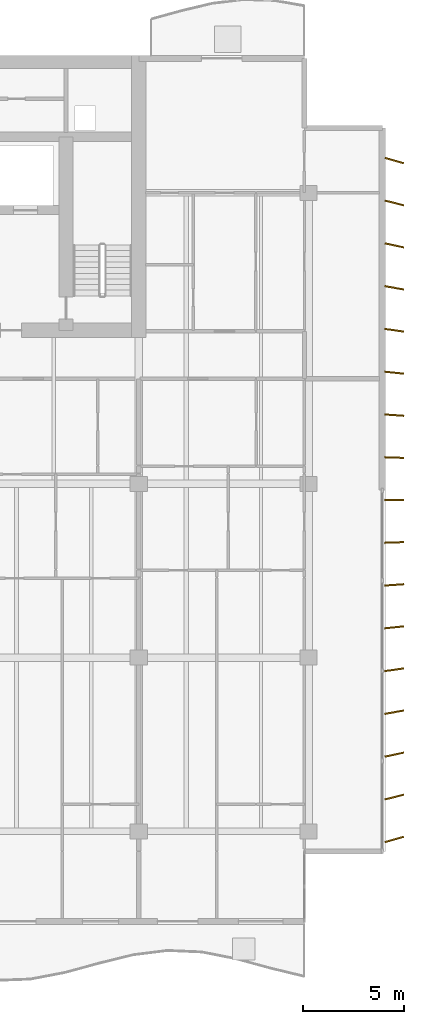
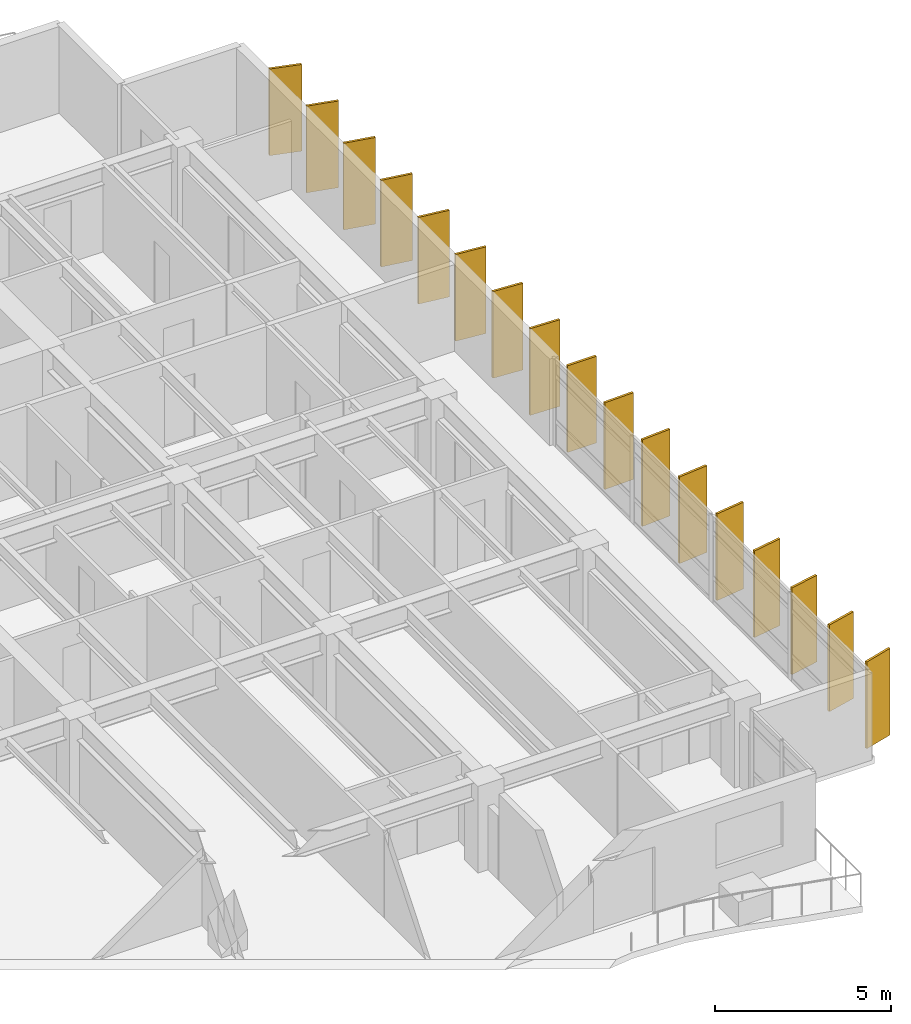
# One storey, part 18 of 18: 17 shading devices.
"""IFC4 building model written with IfcOpenShell, lengths in metres."""

import ifcopenshell
import ifcopenshell.guid

model = None  # the IFC model being written
_history = None  # IfcOwnerHistory: only IFC2X3 demands one
_inside = {}  # id of a spatial element -> (the spatial element, [elements in it])
_under = {}  # id of a project, library or spatial element -> (it, [spatial elements below it])
_declared = {}  # id of a project -> (the project, [libraries it declares])
_typed = {}  # id of a type object -> (the type object, [elements of that type])
_made_of = {}  # id of a material, layer set ... -> (it, [elements and type objects made of it])


def new_model(schema):
    """Start an empty IFC model of exactly this schema.

    Asked for "IFC4X3", IfcOpenShell would pick the latest addendum, in which some entities
    have other attributes; the version numbers below select the first issue.
    IFC2X3 requires an IfcOwnerHistory on every rooted entity: one is made here for all.
    """
    global model, _history
    if schema == "IFC4X3":
        model = ifcopenshell.file(schema_version=(4, 3, 0, 0))
    else:
        model = ifcopenshell.file(schema=schema)
    _inside.clear()
    _under.clear()
    _declared.clear()
    _typed.clear()
    _made_of.clear()
    _history = None
    if model.schema == "IFC2X3":
        org = make("IfcOrganization", Name="unknown")
        user = make(
            "IfcPersonAndOrganization",
            ThePerson=make("IfcPerson", FamilyName="unknown"),
            TheOrganization=org,
        )
        app = make(
            "IfcApplication",
            ApplicationDeveloper=org,
            Version="unknown",
            ApplicationFullName="unknown",
            ApplicationIdentifier="unknown",
        )
        _history = make(
            "IfcOwnerHistory",
            OwningUser=user,
            OwningApplication=app,
            ChangeAction="ADDED",
            CreationDate=0,
        )
    return model


def make(cls, **values):
    """One entity of the class cls with the attributes given. An attribute that is None is left unset."""
    return model.create_entity(
        cls, **{name: value for name, value in values.items() if value is not None}
    )


def rooted(cls, **values):
    """An entity with a GlobalId (a new one), such as an element, a storey or a relation."""
    return make(cls, GlobalId=ifcopenshell.guid.new(), OwnerHistory=_history, **values)


def si_unit(unit_type, name, prefix=None):
    """IfcSIUnit, for example si_unit("LENGTHUNIT", "METRE", prefix="MILLI")."""
    return make("IfcSIUnit", UnitType=unit_type, Prefix=prefix, Name=name)


def assignment(units):
    """IfcUnitAssignment: the units of a project."""
    return None if units is None else make("IfcUnitAssignment", Units=units)


def point(xyz):
    """IfcCartesianPoint."""
    return None if xyz is None else make("IfcCartesianPoint", Coordinates=xyz)


def direction(xyz):
    """IfcDirection."""
    return None if xyz is None else make("IfcDirection", DirectionRatios=xyz)


def frame(location, z_axis=None, x_axis=None):
    """IfcAxis2Placement3D, a coordinate frame: its origin and axes. An axis left out is left unset."""
    return make(
        "IfcAxis2Placement3D",
        Location=point(location),
        Axis=direction(z_axis),
        RefDirection=direction(x_axis),
    )


def frame_2d(location, x_axis=None):
    """IfcAxis2Placement2D, a coordinate frame in the plane: its origin and x axis."""
    return make(
        "IfcAxis2Placement2D", Location=point(location), RefDirection=direction(x_axis)
    )


def origin():
    """The frame at (0, 0, 0) with its axes left unset."""
    return frame((0.0, 0.0, 0.0))


def origin_2d():
    """The frame at (0, 0) in the plane with its x axis left unset."""
    return frame_2d((0.0, 0.0))


def place(relative_to, where):
    """IfcLocalPlacement: puts the frame where relative to a parent placement (None: the world)."""
    return make(
        "IfcLocalPlacement", PlacementRelTo=relative_to, RelativePlacement=where
    )


def context(
    kind, dimensions, precision=None, world=None, true_north=None, identifier=None
):
    """IfcGeometricRepresentationContext, for example the 3D "Model" context."""
    return make(
        "IfcGeometricRepresentationContext",
        ContextIdentifier=identifier,
        ContextType=kind,
        CoordinateSpaceDimension=dimensions,
        Precision=precision,
        WorldCoordinateSystem=world,
        TrueNorth=true_north,
    )


def subcontext(parent, identifier, kind, view, scale=None):
    """IfcGeometricRepresentationSubContext, for example "Body" below "Model"."""
    return make(
        "IfcGeometricRepresentationSubContext",
        ContextIdentifier=identifier,
        ContextType=kind,
        ParentContext=parent,
        TargetScale=scale,
        TargetView=view,
    )


def project(units=None, contexts=None):
    """IfcProject with its units and contexts."""
    return rooted(
        "IfcProject",
        Name="project",
        RepresentationContexts=contexts,
        UnitsInContext=assignment(units),
    )


def spatial(cls, under=None, at=None, **own):
    """A site, building, storey or space (cls), placed at a placement, below another one or the project."""
    s = rooted(cls, ObjectPlacement=at, **own)
    if under is not None:
        _under.setdefault(under.id(), (under, []))[1].append(s)
    return s


def profile(cls, at=None, kind="AREA", **sizes):
    """A parametric profile (cls). Its sizes go by their IFC names, for example OverallWidth=200.0."""
    return make(cls, ProfileType=kind, Position=at, **sizes)


def rectangle(**sizes):
    """IfcRectangleProfileDef."""
    return profile("IfcRectangleProfileDef", **sizes)


def extrude(swept, where, along, depth):
    """IfcExtrudedAreaSolid: the profile swept, set in the frame where, extruded along a direction by depth."""
    return make(
        "IfcExtrudedAreaSolid",
        SweptArea=swept,
        Position=where,
        ExtrudedDirection=direction(along),
        Depth=depth,
    )


def shape(context_of_items, identifier, shape_type, items):
    """IfcShapeRepresentation: the items that make up one representation, for example the "Body"."""
    return make(
        "IfcShapeRepresentation",
        ContextOfItems=context_of_items,
        RepresentationIdentifier=identifier,
        RepresentationType=shape_type,
        Items=items,
    )


def material(Name=None, Category=None):
    """IfcMaterial."""
    return make("IfcMaterial", Name=Name, Category=Category)


def material_profile(
    of_material, cross_section, Name=None, Category=None, Priority=None
):
    """IfcMaterialProfile: a cross section and its material."""
    return make(
        "IfcMaterialProfile",
        Name=Name,
        Material=of_material,
        Profile=cross_section,
        Priority=Priority,
        Category=Category,
    )


def profile_set(profiles, Name=None, composite=None):
    """IfcMaterialProfileSet."""
    return make(
        "IfcMaterialProfileSet",
        Name=Name,
        MaterialProfiles=profiles,
        CompositeProfile=composite,
    )


def made_of(thing, what):
    """Note that an element or type object is made of a material, layer set ...; save() writes the relation."""
    if what is not None:
        _made_of.setdefault(what.id(), (what, []))[1].append(thing)
    return thing


def type_object(cls, material=None, **own):
    """A type object (cls), such as IfcWallType, which elements share."""
    return made_of(rooted(cls, **own), material)


def element(
    cls,
    number,
    at=None,
    inside=None,
    cuts=None,
    type_object=None,
    material=None,
    context=None,
    identifier="Body",
    shape_type=None,
    held_by="IfcProductDefinitionShape",
    body=None,
    shapes=None,
    **own,
):
    """One element of the class cls, such as IfcWall. Its Tag is "e" and its number.

    at: its placement. inside: the storey or other place that contains it. cuts: it is an
    opening in that element (IfcRelVoidsElement). A single representation is given by context,
    identifier, shape_type and body (its items); several are given by shapes. held_by: the class
    of the entity that holds the representations. save() writes the other relations.
    """
    e = rooted(cls, Tag="e%d" % number, ObjectPlacement=at, **own)
    if body is not None:
        shapes = [shape(context, identifier, shape_type, body)]
    if shapes is not None:
        e.Representation = make(held_by, Representations=shapes)
    if inside is not None:
        _inside.setdefault(inside.id(), (inside, []))[1].append(e)
    if cuts is not None:
        rooted(
            "IfcRelVoidsElement", RelatingBuildingElement=cuts, RelatedOpeningElement=e
        )
    if type_object is not None:
        _typed.setdefault(type_object.id(), (type_object, []))[1].append(e)
    return made_of(e, material)


def aggregate(whole, parts):
    """IfcRelAggregates: a whole, such as a stair, and the parts it consists of."""
    return rooted("IfcRelAggregates", RelatingObject=whole, RelatedObjects=parts)


def save(model, path):
    """Write the relations noted so far, then the file.

    IfcRelAggregates (storeys below a building ...), IfcRelContainedInSpatialStructure (elements
    in a storey), IfcRelDefinesByType, IfcRelAssociatesMaterial and IfcRelDeclares: one each for
    every whole, place, type object, material and project.
    """
    for whole, parts in _under.values():
        aggregate(whole, parts)
    for where, things in _inside.values():
        rooted(
            "IfcRelContainedInSpatialStructure",
            RelatedElements=things,
            RelatingStructure=where,
        )
    for kind, things in _typed.values():
        rooted("IfcRelDefinesByType", RelatedObjects=things, RelatingType=kind)
    for what, things in _made_of.values():
        rooted("IfcRelAssociatesMaterial", RelatedObjects=things, RelatingMaterial=what)
    for by, libraries in _declared.values():
        rooted("IfcRelDeclares", RelatingContext=by, RelatedDefinitions=libraries)
    model.write(path)


model = new_model("IFC4")

# Units and contexts
model_context = context("Model", 3, precision=1e-05, world=origin(), true_north=direction((0.0, 1.0)))
body_context = subcontext(model_context, "Body", "Model", "MODEL_VIEW")
ifc_project = project(units=[si_unit("LENGTHUNIT", "METRE"), si_unit("AREAUNIT", "SQUARE_METRE"), si_unit("VOLUMEUNIT", "CUBIC_METRE"), si_unit("PLANEANGLEUNIT", "RADIAN"), si_unit("MASSUNIT", "GRAM", prefix="KILO")], contexts=[model_context])

# Site, building, storey
site_placement = place(None, origin())
site = spatial("IfcSite", under=ifc_project, at=site_placement, CompositionType="ELEMENT")
building_placement = place(site_placement, origin())
building = spatial("IfcBuilding", under=site, at=building_placement, Name="Caelmar Bay Residences", CompositionType="ELEMENT")
storey_placement = place(building_placement, frame((0.0, 0.0, 180.300048828125)))
storey = spatial("IfcBuildingStorey", under=building, at=storey_placement, Name="L50", CompositionType="ELEMENT", Elevation=180.300048828125)

# Shading devices
ifc_material = material(Name="Anodised architectural bronze aluminium 6063-T6", Category="aluminium")
ifc_material_profile = material_profile(ifc_material, rectangle(XDim=0.074951171875, YDim=0.949951171875, at=origin_2d()), Name="BRONZE-FIN-75X950")
ifc_profile_set = profile_set([ifc_material_profile], Name="Anodised architectural bronze aluminium 6063-T6")
shading_device_type = type_object("IfcShadingDeviceType", Name="SHD-FIN-950", PredefinedType="USERDEFINED", material=ifc_profile_set)
for number, where, z_axis, x_axis, name in (
    (1, (72.14990234375, 11.800048828125, 0.0), (0.0, 0.0, 1.0), (-0.275637355817, 0.961261695938, 0.0), "L50 East Bronze Solar Fin 1"),
    (2, (72.14990234375, 13.89990234375, 0.0), (0.0, 0.0, 1.0), (-0.2419218956, 0.970295726276, 0.0), "L50 East Bronze Solar Fin 2"),
    (3, (72.14990234375, 16.0, 0.0), (0.0, 0.0, 1.0), (-0.207911690818, 0.978147600734, 0.0), "L50 East Bronze Solar Fin 3"),
    (4, (72.14990234375, 18.10009765625, 0.0), (0.0, 0.0, 1.0), (-0.173648177667, 0.984807753012, 0.0), "L50 East Bronze Solar Fin 4"),
    (5, (72.14990234375, 20.199951171875, 0.0), (0.0, 0.0, 1.0), (-0.13917310096, 0.990268068742, 0.0), "L50 East Bronze Solar Fin 5"),
    (6, (72.14990234375, 22.300048828125, 0.0), (0.0, 0.0, 1.0), (-0.104528463268, 0.994521895368, 0.0), "L50 East Bronze Solar Fin 6"),
    (7, (72.14990234375, 24.39990234375, 0.0), (0.0, 0.0, 1.0), (-0.069756473744, 0.99756405026, 0.0), "L50 East Bronze Solar Fin 7"),
    (8, (72.14990234375, 26.5, 0.0), (0.0, 0.0, 1.0), (-0.034899496703, 0.999390827019, 0.0), "L50 East Bronze Solar Fin 8"),
    (9, (72.14990234375, 28.60009765625, 0.0), (0.0, 0.0, 1.0), (0.0, 1.0, 0.0), "L50 East Bronze Solar Fin 9"),
    (10, (72.14990234375, 30.699951171875, 0.0), (0.0, 0.0, 1.0), (0.034899496703, 0.999390827019, 0.0), "L50 East Bronze Solar Fin 10"),
    (11, (72.14990234375, 32.800048828125, 0.0), (0.0, 0.0, 1.0), (0.069756473744, 0.99756405026, 0.0), "L50 East Bronze Solar Fin 11"),
    (12, (72.14990234375, 34.89990234375, 0.0), (0.0, 0.0, 1.0), (0.104528463268, 0.994521895368, 0.0), "L50 East Bronze Solar Fin 12"),
    (13, (72.14990234375, 37.0, 0.0), (0.0, 0.0, 1.0), (0.13917310096, 0.990268068742, 0.0), "L50 East Bronze Solar Fin 13"),
    (14, (72.14990234375, 39.10009765625, 0.0), (0.0, 0.0, 1.0), (0.173648177667, 0.984807753012, 0.0), "L50 East Bronze Solar Fin 14"),
    (15, (72.14990234375, 41.199951171875, 0.0), (0.0, 0.0, 1.0), (0.207911690818, 0.978147600734, 0.0), "L50 East Bronze Solar Fin 15"),
    (16, (72.14990234375, 43.300048828125, 0.0), (0.0, 0.0, 1.0), (0.2419218956, 0.970295726276, 0.0), "L50 East Bronze Solar Fin 16"),
    (17, (72.14990234375, 45.39990234375, 0.0), (0.0, 0.0, 1.0), (0.275637355817, 0.961261695938, 0.0), "L50 East Bronze Solar Fin 17"),
):
    element("IfcShadingDevice", number, at=place(storey_placement, frame(where, z_axis=z_axis, x_axis=x_axis)), inside=storey, type_object=shading_device_type, Name=name, ObjectType="FIN", PredefinedType="USERDEFINED", context=body_context, shape_type="SweptSolid", body=[
        extrude(rectangle(XDim=0.074951171875, YDim=0.949951171875, at=origin_2d()), origin(), (0.0, 0.0, 1.0), 3.0),
    ])

save(model, "model.ifc")
